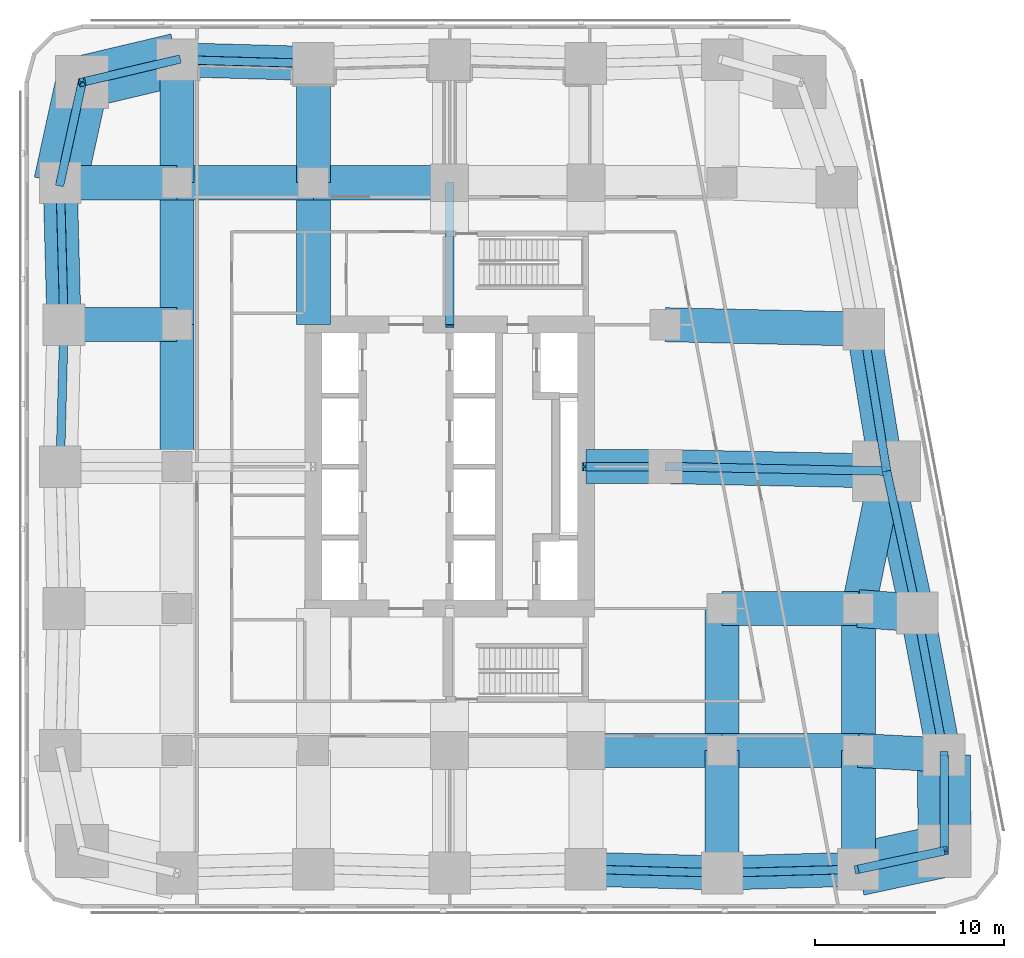
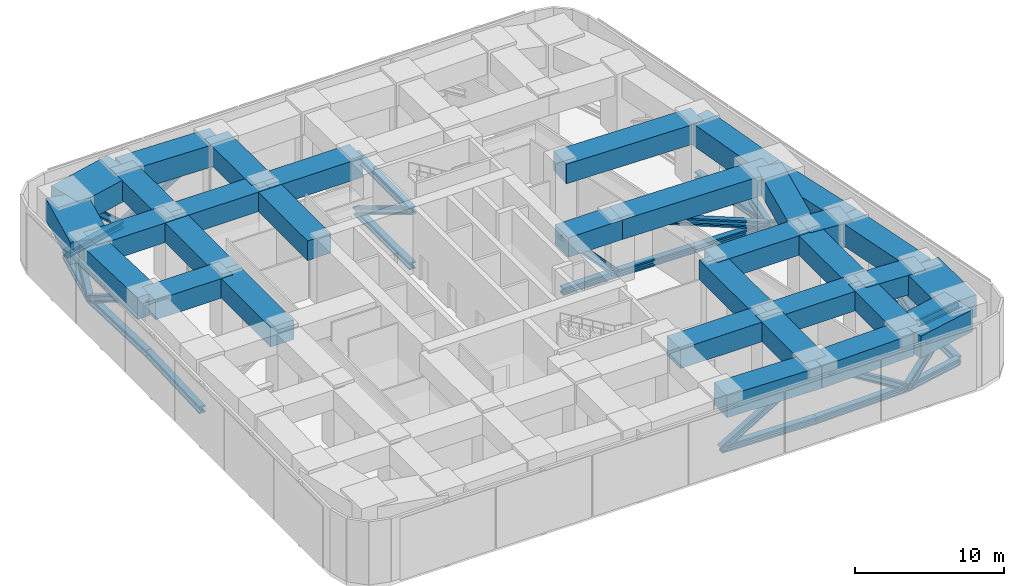
# One storey, part 2 of 10: 33 beams, 30 members.
"""IFC4 building model written with IfcOpenShell, lengths in metres."""

from ifc_helpers import new_model, si_unit, direction, frame, origin, origin_2d, place, context, subcontext, project, spatial, rectangle, i_section, extrude, material, material_profile, profile_set, type_object, element, save


model = new_model("IFC4")

# Units and contexts
model_context = context("Model", 3, precision=1e-05, world=origin(), true_north=direction((0.0, 1.0)))
body_context = subcontext(model_context, "Body", "Model", "MODEL_VIEW")
ifc_project = project(units=[si_unit("LENGTHUNIT", "METRE"), si_unit("AREAUNIT", "SQUARE_METRE"), si_unit("VOLUMEUNIT", "CUBIC_METRE"), si_unit("PLANEANGLEUNIT", "RADIAN"), si_unit("MASSUNIT", "GRAM", prefix="KILO")], contexts=[model_context])

# Site, building, storey
site_placement = place(None, origin())
site = spatial("IfcSite", under=ifc_project, at=site_placement, CompositionType="ELEMENT")
building_placement = place(site_placement, origin())
building = spatial("IfcBuilding", under=site, at=building_placement, Name="Sheger Commons Tower", CompositionType="ELEMENT")
storey_placement = place(building_placement, frame((0.0, 0.0, 130.39990234375)))
storey = spatial("IfcBuildingStorey", under=building, at=storey_placement, Name="L33", CompositionType="ELEMENT", Elevation=130.39990234375)

# Beams
ifc_material_1 = material(Name="Concrete C50/60", Category="concrete")
ifc_material_profile_1 = material_profile(ifc_material_1, rectangle(XDim=1.800048828125, YDim=1.60009765625, at=origin_2d()), Name="RC 1800x1600")
ifc_profile_set_1 = profile_set([ifc_material_profile_1], Name="Concrete C50/60")
beam_type_1 = type_object("IfcBeamType", Name="BEAM RC 1800x1600", PredefinedType="BEAM", material=ifc_profile_set_1)
for number, where, z_axis, x_axis, name in (
    (1, (28.800048828125, 7.5, 4.35009765625), (1.0, 0.0, 0.0), (0.0, 1.0, 0.0), "Beam 5/B-6/B under L34"),
    (2, (36.0, 7.5, 4.35009765625), (1.0, 0.0, 0.0), (0.0, 1.0, 0.0), "Beam 6/B-7/B under L34"),
):
    element("IfcBeam", number, at=place(storey_placement, frame(where, z_axis=z_axis, x_axis=x_axis)), inside=storey, type_object=beam_type_1, Name=name, PredefinedType="BEAM", context=body_context, shape_type="SweptSolid", body=[
        extrude(rectangle(XDim=1.800048828125, YDim=1.60009765625, at=origin_2d()), origin(), (0.0, 0.0, 1.0), 7.199951171875),
    ])
beam_1_placement = place(storey_placement, frame((43.199951171875, 7.5, 4.35009765625), z_axis=(0.998633543943, -0.052259400225, 0.0), x_axis=(0.052259400225, 0.998633543943, 0.0)))
element("IfcBeam", 3, at=beam_1_placement, inside=storey, type_object=beam_type_1, Name="Beam 7/B-E/B under L34", PredefinedType="BEAM", context=body_context, shape_type="SweptSolid", body=[
    extrude(rectangle(XDim=1.800048828125, YDim=1.60009765625, at=origin_2d()), origin(), (0.0, 0.0, 1.0), 4.5361328125),
])
beam_2_placement = place(storey_placement, frame((36.0, 15.0, 4.35009765625), z_axis=(1.0, 0.0, 0.0), x_axis=(0.0, 1.0, 0.0)))
element("IfcBeam", 4, at=beam_2_placement, inside=storey, type_object=beam_type_1, Name="Beam 6/C-7/C under L34", PredefinedType="BEAM", context=body_context, shape_type="SweptSolid", body=[
    extrude(rectangle(XDim=1.800048828125, YDim=1.60009765625, at=origin_2d()), origin(), (0.0, 0.0, 1.0), 7.199951171875),
])
beam_3_placement = place(storey_placement, frame((28.800048828125, 22.5, 4.35009765625), z_axis=(1.0, 0.0, 0.0), x_axis=(0.0, 1.0, 0.0)))
element("IfcBeam", 5, at=beam_3_placement, inside=storey, type_object=beam_type_1, Name="Beam 5/D-6-3000/D under L34", PredefinedType="BEAM", context=body_context, shape_type="SweptSolid", body=[
    extrude(rectangle(XDim=1.800048828125, YDim=1.60009765625, at=origin_2d()), origin(), (0.0, 0.0, 1.0), 4.199951171875),
])
beam_4_placement = place(storey_placement, frame((33.0, 22.5, 4.35009765625), z_axis=(0.999794692776, -0.02026258368, 0.0), x_axis=(0.02026258368, 0.999794692776, 0.0)))
element("IfcBeam", 6, at=beam_4_placement, inside=storey, type_object=beam_type_1, Name="Beam 6-3000/D-7/D under L34", PredefinedType="BEAM", context=body_context, shape_type="SweptSolid", body=[
    extrude(rectangle(XDim=1.800048828125, YDim=1.60009765625, at=origin_2d()), origin(), (0.0, 0.0, 1.0), 11.699462890625),
])
beam_5_placement = place(storey_placement, frame((1.22509765625, 30.0, 4.35009765625), z_axis=(1.0, 0.0, 0.0), x_axis=(0.0, 1.0, 0.0)))
element("IfcBeam", 7, at=beam_5_placement, inside=storey, type_object=beam_type_1, Name="Beam 1/E-2/E under L34", PredefinedType="BEAM", context=body_context, shape_type="SweptSolid", body=[
    extrude(rectangle(XDim=1.800048828125, YDim=1.60009765625, at=origin_2d()), origin(), (0.0, 0.0, 1.0), 5.974853515625),
])
beam_6_placement = place(storey_placement, frame((33.0, 30.0, 4.35009765625), z_axis=(0.999744258625, -0.022614538395, 0.0), x_axis=(0.022614538395, 0.999744258625, 0.0)))
element("IfcBeam", 8, at=beam_6_placement, inside=storey, type_object=beam_type_1, Name="Beam 6-3000/E-E/E under L34", PredefinedType="BEAM", context=body_context, shape_type="SweptSolid", body=[
    extrude(rectangle(XDim=1.800048828125, YDim=1.60009765625, at=origin_2d()), origin(), (0.0, 0.0, 1.0), 10.482666015625),
])
beam_7_placement = place(storey_placement, frame((1.02490234375, 37.5, 4.35009765625), z_axis=(1.0, 0.0, 0.0), x_axis=(0.0, 1.0, 0.0)))
element("IfcBeam", 9, at=beam_7_placement, inside=storey, type_object=beam_type_1, Name="Beam 1/F-2/F under L34", PredefinedType="BEAM", context=body_context, shape_type="SweptSolid", body=[
    extrude(rectangle(XDim=1.800048828125, YDim=1.60009765625, at=origin_2d()), origin(), (0.0, 0.0, 1.0), 6.175048828125),
])
beam_8_placement = place(storey_placement, frame((7.199951171875, 37.5, 4.35009765625), z_axis=(1.0, 0.0, 0.0), x_axis=(0.0, 1.0, 0.0)))
element("IfcBeam", 10, at=beam_8_placement, inside=storey, type_object=beam_type_1, Name="Beam 2/F-3/F under L34", PredefinedType="BEAM", context=body_context, shape_type="SweptSolid", body=[
    extrude(rectangle(XDim=1.800048828125, YDim=1.60009765625, at=origin_2d()), origin(), (0.0, 0.0, 1.0), 7.199951171875),
])
beam_9_placement = place(storey_placement, frame((14.39990234375, 37.5, 4.35009765625), z_axis=(1.0, 0.0, 0.0), x_axis=(0.0, 1.0, 0.0)))
element("IfcBeam", 11, at=beam_9_placement, inside=storey, type_object=beam_type_1, Name="Beam 3/F-4/F under L34", PredefinedType="BEAM", context=body_context, shape_type="SweptSolid", body=[
    extrude(rectangle(XDim=1.800048828125, YDim=1.60009765625, at=origin_2d()), origin(), (0.0, 0.0, 1.0), 7.2001953125),
])
for number, where, z_axis, x_axis, name in (
    (12, (7.199951171875, 22.5, 4.35009765625), (0.0, 1.0, 0.0), (-1.0, 0.0, 0.0), "Beam 2/D-2/E under L34"),
    (13, (7.199951171875, 30.0, 4.35009765625), (0.0, 1.0, 0.0), (-1.0, 0.0, 0.0), "Beam 2/E-2/F under L34"),
):
    element("IfcBeam", number, at=place(storey_placement, frame(where, z_axis=z_axis, x_axis=x_axis)), inside=storey, type_object=beam_type_1, Name=name, PredefinedType="BEAM", context=body_context, shape_type="SweptSolid", body=[
        extrude(rectangle(XDim=1.800048828125, YDim=1.60009765625, at=origin_2d()), origin(), (0.0, 0.0, 1.0), 7.5),
    ])
beam_10_placement = place(storey_placement, frame((7.199951171875, 37.5, 4.35009765625), z_axis=(0.0, 1.0, 0.0), x_axis=(-1.0, 0.0, 0.0)))
element("IfcBeam", 14, at=beam_10_placement, inside=storey, type_object=beam_type_1, Name="Beam 2/F-2/G under L34", PredefinedType="BEAM", context=body_context, shape_type="SweptSolid", body=[
    extrude(rectangle(XDim=1.800048828125, YDim=1.60009765625, at=origin_2d()), origin(), (0.0, 0.0, 1.0), 6.5),
])
beam_11_placement = place(storey_placement, frame((14.39990234375, 30.0, 4.35009765625), z_axis=(0.0, 1.0, 0.0), x_axis=(-1.0, 0.0, 0.0)))
element("IfcBeam", 15, at=beam_11_placement, inside=storey, type_object=beam_type_1, Name="Beam 3/E-3/F under L34", PredefinedType="BEAM", context=body_context, shape_type="SweptSolid", body=[
    extrude(rectangle(XDim=1.800048828125, YDim=1.60009765625, at=origin_2d()), origin(), (0.0, 0.0, 1.0), 7.5),
])
beam_12_placement = place(storey_placement, frame((14.39990234375, 37.5, 4.35009765625), z_axis=(0.0, 1.0, 0.0), x_axis=(-1.0, 0.0, 0.0)))
element("IfcBeam", 16, at=beam_12_placement, inside=storey, type_object=beam_type_1, Name="Beam 3/F-3/G under L34", PredefinedType="BEAM", context=body_context, shape_type="SweptSolid", body=[
    extrude(rectangle(XDim=1.800048828125, YDim=1.60009765625, at=origin_2d()), origin(), (0.0, 0.0, 1.0), 6.300048828125),
])
beam_13_placement = place(storey_placement, frame((36.0, 1.02490234375, 4.35009765625), z_axis=(0.0, 1.0, 0.0), x_axis=(-1.0, 0.0, 0.0)))
element("IfcBeam", 17, at=beam_13_placement, inside=storey, type_object=beam_type_1, Name="Beam 6/A-6/B under L34", PredefinedType="BEAM", context=body_context, shape_type="SweptSolid", body=[
    extrude(rectangle(XDim=1.800048828125, YDim=1.60009765625, at=origin_2d()), origin(), (0.0, 0.0, 1.0), 6.47509765625),
])
beam_14_placement = place(storey_placement, frame((36.0, 7.5, 4.35009765625), z_axis=(0.0, 1.0, 0.0), x_axis=(-1.0, 0.0, 0.0)))
element("IfcBeam", 18, at=beam_14_placement, inside=storey, type_object=beam_type_1, Name="Beam 6/B-6/C under L34", PredefinedType="BEAM", context=body_context, shape_type="SweptSolid", body=[
    extrude(rectangle(XDim=1.800048828125, YDim=1.60009765625, at=origin_2d()), origin(), (0.0, 0.0, 1.0), 7.5),
])
beam_15_placement = place(storey_placement, frame((43.199951171875, 1.22509765625, 4.35009765625), z_axis=(0.0, 1.0, 0.0), x_axis=(-1.0, 0.0, 0.0)))
element("IfcBeam", 19, at=beam_15_placement, inside=storey, type_object=beam_type_1, Name="Beam 7/A-7/B under L34", PredefinedType="BEAM", context=body_context, shape_type="SweptSolid", body=[
    extrude(rectangle(XDim=1.800048828125, YDim=1.60009765625, at=origin_2d()), origin(), (0.0, 0.0, 1.0), 6.27490234375),
])
beam_16_placement = place(storey_placement, frame((43.199951171875, 7.5, 4.35009765625), z_axis=(0.0, 1.0, 0.0), x_axis=(-1.0, 0.0, 0.0)))
element("IfcBeam", 20, at=beam_16_placement, inside=storey, type_object=beam_type_1, Name="Beam 7/B-7/C under L34", PredefinedType="BEAM", context=body_context, shape_type="SweptSolid", body=[
    extrude(rectangle(XDim=1.800048828125, YDim=1.60009765625, at=origin_2d()), origin(), (0.0, 0.0, 1.0), 7.5),
])
beam_17_placement = place(storey_placement, frame((43.199951171875, 15.0, 4.35009765625), z_axis=(0.201880503661, 0.979410160373, 0.0), x_axis=(-0.979410160373, 0.201880503661, 0.0)))
element("IfcBeam", 21, at=beam_17_placement, inside=storey, type_object=beam_type_1, Name="Beam 7/C-7/D under L34", PredefinedType="BEAM", context=body_context, shape_type="SweptSolid", body=[
    extrude(rectangle(XDim=1.800048828125, YDim=1.60009765625, at=origin_2d()), origin(), (0.0, 0.0, 1.0), 7.41552734375),
])
ifc_material_2 = material(Name="Concrete C50/60", Category="concrete")
ifc_material_profile_2 = material_profile(ifc_material_2, rectangle(XDim=2.0, YDim=2.0, at=origin_2d()), Name="RC 2000x2000")
ifc_profile_set_2 = profile_set([ifc_material_profile_2], Name="Concrete C50/60")
beam_type_2 = type_object("IfcBeamType", Name="BEAM RC 2000x2000", PredefinedType="BEAM", material=ifc_profile_set_2)
beam_18_placement = place(storey_placement, frame((43.199951171875, 15.0, 4.150146484375), z_axis=(0.997114873388, -0.075907372956, 0.0), x_axis=(0.075907372956, 0.997114873388, 0.0)))
element("IfcBeam", 22, at=beam_18_placement, inside=storey, type_object=beam_type_2, Name="Beam 7/C-E/C under L34", PredefinedType="BEAM", context=body_context, shape_type="SweptSolid", body=[
    extrude(rectangle(XDim=2.0, YDim=2.0, at=origin_2d()), origin(), (0.0, 0.0, 1.0), 3.123046875),
])

# Members
ifc_material_3 = material(Name="Steel S460", Category="steel")
ifc_material_profile_3 = material_profile(ifc_material_3, i_section(OverallWidth=0.4541015625, OverallDepth=0.569091796875, WebThickness=0.077880859375, FlangeThickness=0.125, at=origin_2d()), Name="HD 400x1086")
ifc_profile_set_3 = profile_set([ifc_material_profile_3], Name="Steel S460")
member_type_1 = type_object("IfcMemberType", Name="BRACE HD 400x1086", PredefinedType="BRACE", material=ifc_profile_set_3)
member_1_placement = place(storey_placement, frame((21.60009765625, 30.0, 4.85009765625), z_axis=(0.0, 0.85496560345, -0.518684698942), x_axis=(-1.0, 0.0, 0.0)))
element("IfcMember", 23, at=member_1_placement, inside=storey, type_object=member_type_1, Name="Outrigger N diagonal 1", PredefinedType="BRACE", context=body_context, shape_type="SweptSolid", body=[
    extrude(i_section(OverallWidth=0.4541015625, OverallDepth=0.569091796875, WebThickness=0.077880859375, FlangeThickness=0.125, at=origin_2d()), origin(), (0.0, 0.0, 1.0), 8.772216796875),
])
member_2_placement = place(storey_placement, frame((28.800048828125, 22.5, 4.85009765625), z_axis=(0.678271914864, 0.0, -0.734811002576), x_axis=(0.0, 1.0, 0.0)))
element("IfcMember", 24, at=member_2_placement, inside=storey, type_object=member_type_1, Name="Outrigger E diagonal 1", PredefinedType="BRACE", context=body_context, shape_type="SweptSolid", body=[
    extrude(i_section(OverallWidth=0.4541015625, OverallDepth=0.569091796875, WebThickness=0.077880859375, FlangeThickness=0.125, at=origin_2d()), origin(), (0.0, 0.0, 1.0), 6.192138671875),
])
member_3_placement = place(storey_placement, frame((33.0, 22.5, 4.85009765625), z_axis=(0.931805978146, -0.018884673766, -0.362465154447), x_axis=(0.02026258368, 0.999794692776, 0.0)))
element("IfcMember", 25, at=member_3_placement, inside=storey, type_object=member_type_1, Name="Outrigger E diagonal 2", PredefinedType="BRACE", context=body_context, shape_type="SweptSolid", body=[
    extrude(i_section(OverallWidth=0.4541015625, OverallDepth=0.569091796875, WebThickness=0.077880859375, FlangeThickness=0.125, at=origin_2d()), origin(), (0.0, 0.0, 1.0), 12.552978515625),
])
ifc_material_4 = material(Name="Steel S460", Category="steel")
ifc_material_profile_4 = material_profile(ifc_material_4, i_section(OverallWidth=0.44189453125, OverallDepth=0.531005859375, WebThickness=0.06591796875, FlangeThickness=0.10595703125, at=origin_2d()), Name="HD 400x900")
ifc_profile_set_4 = profile_set([ifc_material_profile_4], Name="Steel S460")
member_type_2 = type_object("IfcMemberType", Name="BRACE HD 400x900", PredefinedType="BRACE", material=ifc_profile_set_4)
for number, where, z_axis, x_axis, name in (
    (26, (28.800048828125, 1.22509765625, 0.300048828125), (0.845111730935, -0.023498410341, 0.534073016494), (0.027794350926, 0.9996136624, 0.0), "Belt truss diagonal 28.800,1.225-36.000,1.025"),
    (27, (43.199951171875, 1.22509765625, 0.300048828125), (-0.845111730935, -0.023498410341, 0.534073016494), (0.027794350926, -0.9996136624, 0.0), "Belt truss diagonal 36.000,1.025-43.200,1.225"),
):
    element("IfcMember", number, at=place(storey_placement, frame(where, z_axis=z_axis, x_axis=x_axis)), inside=storey, type_object=member_type_2, Name=name, PredefinedType="BRACE", context=body_context, shape_type="SweptSolid", body=[
        extrude(i_section(OverallWidth=0.44189453125, OverallDepth=0.531005859375, WebThickness=0.06591796875, FlangeThickness=0.10595703125, at=origin_2d()), origin(), (0.0, 0.0, 1.0), 8.51953125),
    ])
member_4_placement = place(storey_placement, frame((43.199951171875, 1.22509765625, 0.300048828125), z_axis=(0.699022780536, 0.149380519046, 0.699322967462), x_axis=(-0.208980552394, 0.977919796671, 0.0)))
element("IfcMember", 28, at=member_4_placement, inside=storey, type_object=member_type_2, Name="Belt truss diagonal 43.200,1.225-47.748,2.197", PredefinedType="BRACE", context=body_context, shape_type="SweptSolid", body=[
    extrude(i_section(OverallWidth=0.44189453125, OverallDepth=0.531005859375, WebThickness=0.06591796875, FlangeThickness=0.10595703125, at=origin_2d()), origin(), (0.0, 0.0, 1.0), 6.50634765625),
])
member_5_placement = place(storey_placement, frame((47.72998046875, 7.262939453125, 0.300048828125), z_axis=(0.002653189258, -0.743968609516, 0.668209300026), x_axis=(0.999993640937, 0.003566242382, 0.0)))
element("IfcMember", 29, at=member_5_placement, inside=storey, type_object=member_type_2, Name="Belt truss diagonal 47.748,2.197-47.730,7.263", PredefinedType="BRACE", context=body_context, shape_type="SweptSolid", body=[
    extrude(i_section(OverallWidth=0.44189453125, OverallDepth=0.531005859375, WebThickness=0.06591796875, FlangeThickness=0.10595703125, at=origin_2d()), origin(), (0.0, 0.0, 1.0), 6.809326171875),
])
member_6_placement = place(storey_placement, frame((47.72998046875, 7.262939453125, 0.300048828125), z_axis=(-0.159356525965, 0.844040082352, 0.512056478346), x_axis=(-0.982639655108, -0.18552441405, 0.0)))
element("IfcMember", 30, at=member_6_placement, inside=storey, type_object=member_type_2, Name="Belt truss diagonal 47.730,7.263-46.314,14.763", PredefinedType="BRACE", context=body_context, shape_type="SweptSolid", body=[
    extrude(i_section(OverallWidth=0.44189453125, OverallDepth=0.531005859375, WebThickness=0.06591796875, FlangeThickness=0.10595703125, at=origin_2d()), origin(), (0.0, 0.0, 1.0), 8.8857421875),
])
member_7_placement = place(storey_placement, frame((44.697021484375, 22.262939453125, 0.300048828125), z_axis=(0.181270480805, -0.840801626201, 0.510091793864), x_axis=(0.977539943348, 0.210750229323, 0.0)))
element("IfcMember", 31, at=member_7_placement, inside=storey, type_object=member_type_2, Name="Belt truss diagonal 46.314,14.763-44.697,22.263", PredefinedType="BRACE", context=body_context, shape_type="SweptSolid", body=[
    extrude(i_section(OverallWidth=0.44189453125, OverallDepth=0.531005859375, WebThickness=0.06591796875, FlangeThickness=0.10595703125, at=origin_2d()), origin(), (0.0, 0.0, 1.0), 8.920166015625),
])
member_8_placement = place(storey_placement, frame((44.697021484375, 22.262939453125, 0.300048828125), z_axis=(-0.137420860624, 0.846854330663, 0.51376380731), x_axis=(-0.987088319884, -0.160176929512, 0.0)))
element("IfcMember", 32, at=member_8_placement, inside=storey, type_object=member_type_2, Name="Belt truss diagonal 44.697,22.263-43.480,29.763", PredefinedType="BRACE", context=body_context, shape_type="SweptSolid", body=[
    extrude(i_section(OverallWidth=0.44189453125, OverallDepth=0.531005859375, WebThickness=0.06591796875, FlangeThickness=0.10595703125, at=origin_2d()), origin(), (0.0, 0.0, 1.0), 8.856201171875),
])
member_9_placement = place(storey_placement, frame((7.199951171875, 44.0, 0.300048828125), z_axis=(0.845112299674, -0.023469769538, 0.534073375912), x_axis=(0.027760481514, 0.999614603568, 0.0)))
element("IfcMember", 33, at=member_9_placement, inside=storey, type_object=member_type_2, Name="Belt truss diagonal 14.400,43.800-7.200,44.000", PredefinedType="BRACE", context=body_context, shape_type="SweptSolid", body=[
    extrude(i_section(OverallWidth=0.44189453125, OverallDepth=0.531005859375, WebThickness=0.06591796875, FlangeThickness=0.10595703125, at=origin_2d()), origin(), (0.0, 0.0, 1.0), 8.51953125),
])
member_10_placement = place(storey_placement, frame((7.199951171875, 44.0, 0.300048828125), z_axis=(-0.729425342012, -0.172544593246, 0.661941865856), x_axis=(0.230195985701, -0.97314428949, 0.0)))
element("IfcMember", 34, at=member_10_placement, inside=storey, type_object=member_type_2, Name="Belt truss diagonal 7.200,44.000-2.186,42.814", PredefinedType="BRACE", context=body_context, shape_type="SweptSolid", body=[
    extrude(i_section(OverallWidth=0.44189453125, OverallDepth=0.531005859375, WebThickness=0.06591796875, FlangeThickness=0.10595703125, at=origin_2d()), origin(), (0.0, 0.0, 1.0), 6.873779296875),
])
member_11_placement = place(storey_placement, frame((1.02490234375, 37.5, 0.300048828125), z_axis=(0.163735815706, 0.749342675496, 0.641619932152), x_axis=(-0.976949769283, 0.213469314652, 0.0)))
element("IfcMember", 35, at=member_11_placement, inside=storey, type_object=member_type_2, Name="Belt truss diagonal 2.186,42.814-1+1025/F", PredefinedType="BRACE", context=body_context, shape_type="SweptSolid", body=[
    extrude(i_section(OverallWidth=0.44189453125, OverallDepth=0.531005859375, WebThickness=0.06591796875, FlangeThickness=0.10595703125, at=origin_2d()), origin(), (0.0, 0.0, 1.0), 7.091552734375),
])
member_12_placement = place(storey_placement, frame((1.02490234375, 37.5, 0.300048828125), z_axis=(0.022815406971, -0.854743051392, 0.518549682578), x_axis=(0.999643939919, 0.026683204125, 0.0)))
element("IfcMember", 36, at=member_12_placement, inside=storey, type_object=member_type_2, Name="Belt truss diagonal 1+1025/F-1+1225/E", PredefinedType="BRACE", context=body_context, shape_type="SweptSolid", body=[
    extrude(i_section(OverallWidth=0.44189453125, OverallDepth=0.531005859375, WebThickness=0.06591796875, FlangeThickness=0.10595703125, at=origin_2d()), origin(), (0.0, 0.0, 1.0), 8.774658203125),
])
ifc_material_5 = material(Name="Steel S460", Category="steel")
ifc_material_profile_5 = material_profile(ifc_material_5, i_section(OverallWidth=0.4541015625, OverallDepth=0.569091796875, WebThickness=0.077880859375, FlangeThickness=0.125, at=origin_2d()), Name="HD 400x1086")
ifc_profile_set_5 = profile_set([ifc_material_profile_5], Name="Steel S460")
member_type_3 = type_object("IfcMemberType", Name="CHORD HD 400x1086", PredefinedType="CHORD", material=ifc_profile_set_5)
for number, where, z_axis, x_axis, name in (
    (37, (28.800048828125, 1.22509765625, 0.300048828125), (0.9996136624, -0.027794350926, 0.0), (0.027794350926, 0.9996136624, 0.0), "Belt truss bottom chord 28.800,1.225-36.000,1.025"),
    (38, (36.0, 1.02490234375, 0.300048828125), (0.9996136624, 0.027794350926, 0.0), (-0.027794350926, 0.9996136624, 0.0), "Belt truss bottom chord 36.000,1.025-43.200,1.225"),
):
    element("IfcMember", number, at=place(storey_placement, frame(where, z_axis=z_axis, x_axis=x_axis)), inside=storey, type_object=member_type_3, Name=name, PredefinedType="CHORD", context=body_context, shape_type="SweptSolid", body=[
        extrude(i_section(OverallWidth=0.4541015625, OverallDepth=0.569091796875, WebThickness=0.077880859375, FlangeThickness=0.125, at=origin_2d()), origin(), (0.0, 0.0, 1.0), 7.20263671875),
    ])
member_13_placement = place(storey_placement, frame((43.199951171875, 1.22509765625, 0.300048828125), z_axis=(0.977919796671, 0.208980552394, 0.0), x_axis=(-0.208980552394, 0.977919796671, 0.0)))
element("IfcMember", 39, at=member_13_placement, inside=storey, type_object=member_type_3, Name="Belt truss bottom chord 43.200,1.225-47.748,2.197", PredefinedType="CHORD", context=body_context, shape_type="SweptSolid", body=[
    extrude(i_section(OverallWidth=0.4541015625, OverallDepth=0.569091796875, WebThickness=0.077880859375, FlangeThickness=0.125, at=origin_2d()), origin(), (0.0, 0.0, 1.0), 4.65087890625),
])
member_14_placement = place(storey_placement, frame((47.748046875, 2.197021484375, 0.300048828125), z_axis=(-0.003566242382, 0.999993640937, 0.0), x_axis=(-0.999993640937, -0.003566242382, 0.0)))
element("IfcMember", 40, at=member_14_placement, inside=storey, type_object=member_type_3, Name="Belt truss bottom chord 47.748,2.197-47.730,7.263", PredefinedType="CHORD", context=body_context, shape_type="SweptSolid", body=[
    extrude(i_section(OverallWidth=0.4541015625, OverallDepth=0.569091796875, WebThickness=0.077880859375, FlangeThickness=0.125, at=origin_2d()), origin(), (0.0, 0.0, 1.0), 5.06591796875),
])
member_15_placement = place(storey_placement, frame((47.72998046875, 7.262939453125, 0.300048828125), z_axis=(-0.18552441405, 0.982639655108, 0.0), x_axis=(-0.982639655108, -0.18552441405, 0.0)))
element("IfcMember", 41, at=member_15_placement, inside=storey, type_object=member_type_3, Name="Belt truss bottom chord 47.730,7.263-46.314,14.763", PredefinedType="CHORD", context=body_context, shape_type="SweptSolid", body=[
    extrude(i_section(OverallWidth=0.4541015625, OverallDepth=0.569091796875, WebThickness=0.077880859375, FlangeThickness=0.125, at=origin_2d()), origin(), (0.0, 0.0, 1.0), 7.632568359375),
])
member_16_placement = place(storey_placement, frame((46.31396484375, 14.762939453125, 0.300048828125), z_axis=(-0.210750229323, 0.977539943348, 0.0), x_axis=(-0.977539943348, -0.210750229323, 0.0)))
element("IfcMember", 42, at=member_16_placement, inside=storey, type_object=member_type_3, Name="Belt truss bottom chord 46.314,14.763-44.697,22.263", PredefinedType="CHORD", context=body_context, shape_type="SweptSolid", body=[
    extrude(i_section(OverallWidth=0.4541015625, OverallDepth=0.569091796875, WebThickness=0.077880859375, FlangeThickness=0.125, at=origin_2d()), origin(), (0.0, 0.0, 1.0), 7.67236328125),
])
member_17_placement = place(storey_placement, frame((44.697021484375, 22.262939453125, 0.300048828125), z_axis=(-0.160176929512, 0.987088319884, 0.0), x_axis=(-0.987088319884, -0.160176929512, 0.0)))
element("IfcMember", 43, at=member_17_placement, inside=storey, type_object=member_type_3, Name="Belt truss bottom chord 44.697,22.263-43.480,29.763", PredefinedType="CHORD", context=body_context, shape_type="SweptSolid", body=[
    extrude(i_section(OverallWidth=0.4541015625, OverallDepth=0.569091796875, WebThickness=0.077880859375, FlangeThickness=0.125, at=origin_2d()), origin(), (0.0, 0.0, 1.0), 7.59814453125),
])
member_18_placement = place(storey_placement, frame((14.39990234375, 43.800048828125, 0.300048828125), z_axis=(-0.999614603568, 0.027760481514, 0.0), x_axis=(-0.027760481514, -0.999614603568, 0.0)))
element("IfcMember", 44, at=member_18_placement, inside=storey, type_object=member_type_3, Name="Belt truss bottom chord 14.400,43.800-7.200,44.000", PredefinedType="CHORD", context=body_context, shape_type="SweptSolid", body=[
    extrude(i_section(OverallWidth=0.4541015625, OverallDepth=0.569091796875, WebThickness=0.077880859375, FlangeThickness=0.125, at=origin_2d()), origin(), (0.0, 0.0, 1.0), 7.20263671875),
])
member_19_placement = place(storey_placement, frame((7.199951171875, 44.0, 0.300048828125), z_axis=(-0.97314428949, -0.230195985701, 0.0), x_axis=(0.230195985701, -0.97314428949, 0.0)))
element("IfcMember", 45, at=member_19_placement, inside=storey, type_object=member_type_3, Name="Belt truss bottom chord 7.200,44.000-2.186,42.814", PredefinedType="CHORD", context=body_context, shape_type="SweptSolid", body=[
    extrude(i_section(OverallWidth=0.4541015625, OverallDepth=0.569091796875, WebThickness=0.077880859375, FlangeThickness=0.125, at=origin_2d()), origin(), (0.0, 0.0, 1.0), 5.15234375),
])
member_20_placement = place(storey_placement, frame((2.18603515625, 42.81396484375, 0.300048828125), z_axis=(-0.213469314652, -0.976949769283, 0.0), x_axis=(0.976949769283, -0.213469314652, 0.0)))
element("IfcMember", 46, at=member_20_placement, inside=storey, type_object=member_type_3, Name="Belt truss bottom chord 2.186,42.814-1+1025/F", PredefinedType="CHORD", context=body_context, shape_type="SweptSolid", body=[
    extrude(i_section(OverallWidth=0.4541015625, OverallDepth=0.569091796875, WebThickness=0.077880859375, FlangeThickness=0.125, at=origin_2d()), origin(), (0.0, 0.0, 1.0), 5.439453125),
])
for number, where, z_axis, x_axis, name in (
    (47, (1.02490234375, 37.5, 0.300048828125), (0.026683204125, -0.999643939919, 0.0), (0.999643939919, 0.026683204125, 0.0), "Belt truss bottom chord 1+1025/F-1+1225/E"),
    (48, (1.22509765625, 30.0, 0.300048828125), (-0.026683204125, -0.999643939919, 0.0), (0.999643939919, -0.026683204125, 0.0), "Belt truss bottom chord 1+1225/E-1+1025/D"),
):
    element("IfcMember", number, at=place(storey_placement, frame(where, z_axis=z_axis, x_axis=x_axis)), inside=storey, type_object=member_type_3, Name=name, PredefinedType="CHORD", context=body_context, shape_type="SweptSolid", body=[
        extrude(i_section(OverallWidth=0.4541015625, OverallDepth=0.569091796875, WebThickness=0.077880859375, FlangeThickness=0.125, at=origin_2d()), origin(), (0.0, 0.0, 1.0), 7.502685546875),
    ])
for number, where, z_axis, x_axis, name in (
    (49, (21.60009765625, 30.0, 0.300048828125), (0.0, 1.0, 0.0), (-1.0, 0.0, 0.0), "Outrigger N bottom chord 4/E-4/F"),
    (50, (21.60009765625, 30.0, 4.85009765625), (0.0, 1.0, 0.0), (-1.0, 0.0, 0.0), "Outrigger N top chord 4/E-4/F"),
):
    element("IfcMember", number, at=place(storey_placement, frame(where, z_axis=z_axis, x_axis=x_axis)), inside=storey, type_object=member_type_3, Name=name, PredefinedType="CHORD", context=body_context, shape_type="SweptSolid", body=[
        extrude(i_section(OverallWidth=0.4541015625, OverallDepth=0.569091796875, WebThickness=0.077880859375, FlangeThickness=0.125, at=origin_2d()), origin(), (0.0, 0.0, 1.0), 7.5),
    ])
member_21_placement = place(storey_placement, frame((28.800048828125, 22.5, 0.300048828125), z_axis=(1.0, 0.0, 0.0), x_axis=(0.0, 1.0, 0.0)))
element("IfcMember", 51, at=member_21_placement, inside=storey, type_object=member_type_3, Name="Outrigger E bottom chord 5/D-6-3000/D", PredefinedType="CHORD", context=body_context, shape_type="SweptSolid", body=[
    extrude(i_section(OverallWidth=0.4541015625, OverallDepth=0.569091796875, WebThickness=0.077880859375, FlangeThickness=0.125, at=origin_2d()), origin(), (0.0, 0.0, 1.0), 4.199951171875),
])
member_22_placement = place(storey_placement, frame((33.0, 22.5, 0.300048828125), z_axis=(0.999794692776, -0.02026258368, 0.0), x_axis=(0.02026258368, 0.999794692776, 0.0)))
element("IfcMember", 52, at=member_22_placement, inside=storey, type_object=member_type_3, Name="Outrigger E bottom chord 6-3000/D-44.697,22.263", PredefinedType="CHORD", context=body_context, shape_type="SweptSolid", body=[
    extrude(i_section(OverallWidth=0.4541015625, OverallDepth=0.569091796875, WebThickness=0.077880859375, FlangeThickness=0.125, at=origin_2d()), origin(), (0.0, 0.0, 1.0), 11.699462890625),
])

# Beams
ifc_material_6 = material(Name="Concrete C50/60", Category="concrete")
ifc_material_profile_6 = material_profile(ifc_material_6, rectangle(XDim=1.800048828125, YDim=1.800048828125, at=origin_2d()), Name="RC 1800x1800")
ifc_profile_set_6 = profile_set([ifc_material_profile_6], Name="Concrete C50/60")
beam_type_3 = type_object("IfcBeamType", Name="SPANDREL RC 1800x1800", PredefinedType="SPANDREL", material=ifc_profile_set_6)
for number, where, z_axis, x_axis, name in (
    (53, (28.800048828125, 1.22509765625, 4.25), (0.9996136624, -0.027794350926, 0.0), (0.027794350926, 0.9996136624, 0.0), "Beam 5/A-6/A under L34"),
    (54, (36.0, 1.02490234375, 4.25), (0.9996136624, 0.027794350926, 0.0), (-0.027794350926, 0.9996136624, 0.0), "Beam 6/A-7/A under L34"),
):
    element("IfcBeam", number, at=place(storey_placement, frame(where, z_axis=z_axis, x_axis=x_axis)), inside=storey, type_object=beam_type_3, Name=name, PredefinedType="SPANDREL", context=body_context, shape_type="SweptSolid", body=[
        extrude(rectangle(XDim=1.800048828125, YDim=1.800048828125, at=origin_2d()), origin(), (0.0, 0.0, 1.0), 7.20263671875),
    ])
beam_19_placement = place(storey_placement, frame((47.72998046875, 7.262939453125, 4.25), z_axis=(-0.18552441405, 0.982639655108, 0.0), x_axis=(-0.982639655108, -0.18552441405, 0.0)))
element("IfcBeam", 55, at=beam_19_placement, inside=storey, type_object=beam_type_3, Name="Beam E/B-E/C under L34", PredefinedType="SPANDREL", context=body_context, shape_type="SweptSolid", body=[
    extrude(rectangle(XDim=1.800048828125, YDim=1.800048828125, at=origin_2d()), origin(), (0.0, 0.0, 1.0), 7.632568359375),
])
beam_20_placement = place(storey_placement, frame((46.31396484375, 14.762939453125, 4.25), z_axis=(-0.210750229323, 0.977539943348, 0.0), x_axis=(-0.977539943348, -0.210750229323, 0.0)))
element("IfcBeam", 56, at=beam_20_placement, inside=storey, type_object=beam_type_3, Name="Beam E/C-E/D under L34", PredefinedType="SPANDREL", context=body_context, shape_type="SweptSolid", body=[
    extrude(rectangle(XDim=1.800048828125, YDim=1.800048828125, at=origin_2d()), origin(), (0.0, 0.0, 1.0), 7.67236328125),
])
beam_21_placement = place(storey_placement, frame((44.697021484375, 22.262939453125, 4.25), z_axis=(-0.160176929512, 0.987088319884, 0.0), x_axis=(-0.987088319884, -0.160176929512, 0.0)))
element("IfcBeam", 57, at=beam_21_placement, inside=storey, type_object=beam_type_3, Name="Beam E/D-E/E under L34", PredefinedType="SPANDREL", context=body_context, shape_type="SweptSolid", body=[
    extrude(rectangle(XDim=1.800048828125, YDim=1.800048828125, at=origin_2d()), origin(), (0.0, 0.0, 1.0), 7.59814453125),
])
beam_22_placement = place(storey_placement, frame((14.39990234375, 43.800048828125, 4.25), z_axis=(-0.999614603568, 0.027760481514, 0.0), x_axis=(-0.027760481514, -0.999614603568, 0.0)))
element("IfcBeam", 58, at=beam_22_placement, inside=storey, type_object=beam_type_3, Name="Beam 3/G-2/G under L34", PredefinedType="SPANDREL", context=body_context, shape_type="SweptSolid", body=[
    extrude(rectangle(XDim=1.800048828125, YDim=1.800048828125, at=origin_2d()), origin(), (0.0, 0.0, 1.0), 7.20263671875),
])
beam_23_placement = place(storey_placement, frame((1.02490234375, 37.5, 4.25), z_axis=(0.026683204125, -0.999643939919, 0.0), x_axis=(0.999643939919, 0.026683204125, 0.0)))
element("IfcBeam", 59, at=beam_23_placement, inside=storey, type_object=beam_type_3, Name="Beam 1/F-1/E under L34", PredefinedType="SPANDREL", context=body_context, shape_type="SweptSolid", body=[
    extrude(rectangle(XDim=1.800048828125, YDim=1.800048828125, at=origin_2d()), origin(), (0.0, 0.0, 1.0), 7.502685546875),
])
ifc_material_7 = material(Name="Concrete C50/60", Category="concrete")
ifc_material_profile_7 = material_profile(ifc_material_7, rectangle(XDim=2.800048828125, YDim=1.800048828125, at=origin_2d()), Name="RC 2800x1800")
ifc_profile_set_7 = profile_set([ifc_material_profile_7], Name="Concrete C50/60")
beam_type_4 = type_object("IfcBeamType", Name="SPANDREL RC 2800x1800", PredefinedType="SPANDREL", material=ifc_profile_set_7)
beam_24_placement = place(storey_placement, frame((43.199951171875, 1.22509765625, 4.25), z_axis=(0.977919796671, 0.208980552394, 0.0), x_axis=(-0.208980552394, 0.977919796671, 0.0)))
element("IfcBeam", 60, at=beam_24_placement, inside=storey, type_object=beam_type_4, Name="Beam 7/A-49.461,0.778 under L34", PredefinedType="SPANDREL", context=body_context, shape_type="SweptSolid", body=[
    extrude(rectangle(XDim=2.800048828125, YDim=1.800048828125, at=origin_2d()), origin(), (0.0, 0.0, 1.0), 4.65087890625),
])
beam_25_placement = place(storey_placement, frame((47.748046875, 2.197021484375, 4.25), z_axis=(-0.003566242382, 0.999993640937, 0.0), x_axis=(-0.999993640937, -0.003566242382, 0.0)))
element("IfcBeam", 61, at=beam_25_placement, inside=storey, type_object=beam_type_4, Name="Beam 49.461,0.778-E/B under L34", PredefinedType="SPANDREL", context=body_context, shape_type="SweptSolid", body=[
    extrude(rectangle(XDim=2.800048828125, YDim=1.800048828125, at=origin_2d()), origin(), (0.0, 0.0, 1.0), 5.06591796875),
])
beam_26_placement = place(storey_placement, frame((7.199951171875, 44.0, 4.25), z_axis=(-0.97314428949, -0.230195985701, 0.0), x_axis=(0.230195985701, -0.97314428949, 0.0)))
element("IfcBeam", 62, at=beam_26_placement, inside=storey, type_object=beam_type_4, Name="Beam 2/G-0.630,44.370 under L34", PredefinedType="SPANDREL", context=body_context, shape_type="SweptSolid", body=[
    extrude(rectangle(XDim=2.800048828125, YDim=1.800048828125, at=origin_2d()), origin(), (0.0, 0.0, 1.0), 5.15234375),
])
beam_27_placement = place(storey_placement, frame((2.18603515625, 42.81396484375, 4.25), z_axis=(-0.213469314652, -0.976949769283, 0.0), x_axis=(0.976949769283, -0.213469314652, 0.0)))
element("IfcBeam", 63, at=beam_27_placement, inside=storey, type_object=beam_type_4, Name="Beam 0.630,44.370-1/F under L34", PredefinedType="SPANDREL", context=body_context, shape_type="SweptSolid", body=[
    extrude(rectangle(XDim=2.800048828125, YDim=1.800048828125, at=origin_2d()), origin(), (0.0, 0.0, 1.0), 5.439453125),
])

save(model, "model.ifc")
